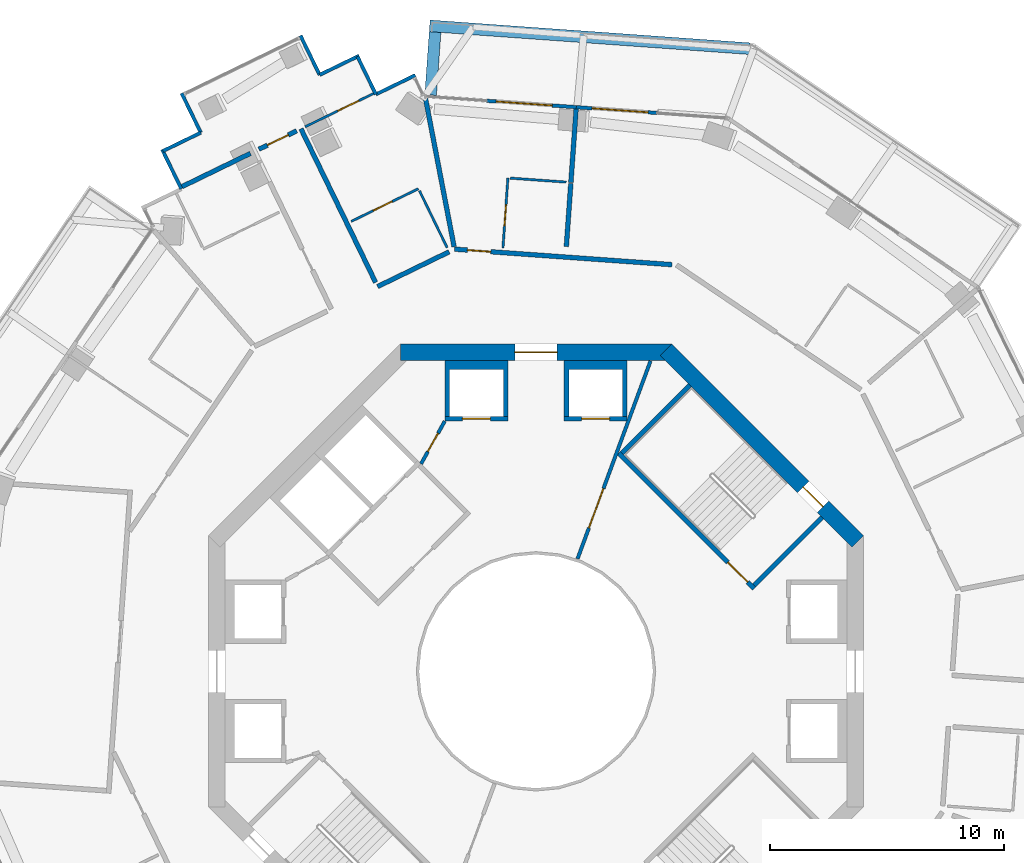
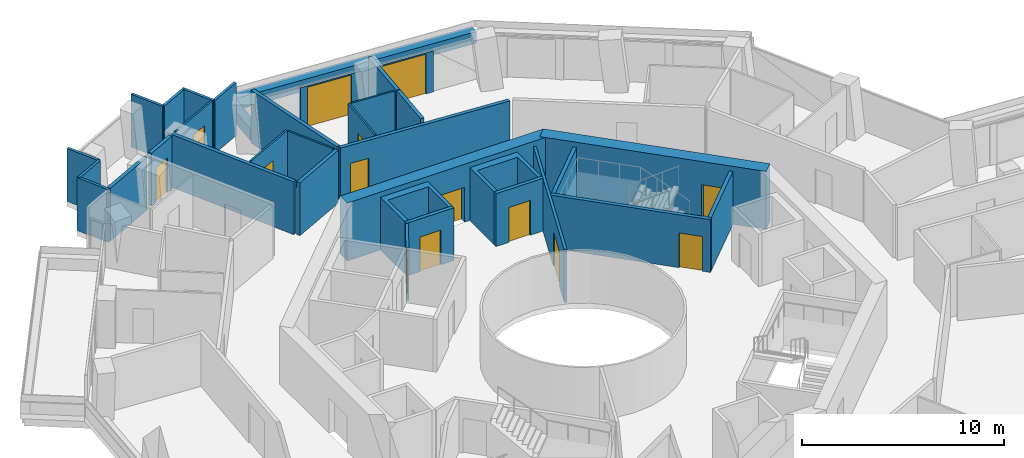
# One storey, part 18 of 22: 35 walls, 14 doors, 14 openings.
"""IFC4 building model written with IfcOpenShell, lengths in metres."""

from ifc_helpers import new_model, si_unit, direction, frame, frame_2d, origin, place, context, subcontext, project, spatial, polyline, rectangle, outline, extrude, material, layer, layer_set, type_object, element, fill, save


model = new_model("IFC4")

# Units and contexts
model_context = context("Model", 3, precision=1e-05, world=origin(), true_north=direction((0.0, 1.0)))
body_context = subcontext(model_context, "Body", "Model", "MODEL_VIEW")
ifc_project = project(units=[si_unit("LENGTHUNIT", "METRE"), si_unit("AREAUNIT", "SQUARE_METRE"), si_unit("VOLUMEUNIT", "CUBIC_METRE"), si_unit("PLANEANGLEUNIT", "RADIAN"), si_unit("MASSUNIT", "GRAM", prefix="KILO")], contexts=[model_context])

# Site, building, storey
site_placement = place(None, origin())
site = spatial("IfcSite", under=ifc_project, at=site_placement, CompositionType="ELEMENT")
building_placement = place(site_placement, origin())
building = spatial("IfcBuilding", under=site, at=building_placement, Name="Verdalira Terraces Hotel", CompositionType="ELEMENT")
storey_placement = place(building_placement, frame((0.0, 0.0, 140.0)))
storey = spatial("IfcBuildingStorey", under=building, at=storey_placement, Name="L33", CompositionType="ELEMENT", Elevation=140.0)

# Walls
ifc_material_1 = material(Name="Concrete C40", Category="concrete")
ifc_layer_1 = layer(ifc_material_1, 0.5)
ifc_layer_set_1 = layer_set([ifc_layer_1], Name="Balcony planter trough with tree")
wall_type_1 = type_object("IfcWallType", Name="Balcony planter trough with tree", PredefinedType="SOLIDWALL", material=ifc_layer_set_1)
wall_1_placement = place(storey_placement, frame((9.141113, 26.625488, 0.0), z_axis=(0.0, 0.0, 1.0), x_axis=(-0.99746619, 0.071142116, 0.0)))
element("IfcWall", 1, at=wall_1_placement, inside=storey, type_object=wall_type_1, Name="Balcony planter", PredefinedType="SOLIDWALL", context=body_context, shape_type="SweptSolid", body=[
    extrude(rectangle(XDim=13.723389, YDim=0.5, at=frame_2d((6.861816, 0.0))), origin(), (0.0, 0.0, 1.0), 0.699951),
])
wall_2_placement = place(storey_placement, frame((-4.316162, 27.334717, 0.0), z_axis=(0.0, 0.0, 1.0), x_axis=(-0.071099196, -0.99746925, 0.0)))
element("IfcWall", 2, at=wall_2_placement, inside=storey, type_object=wall_type_1, Name="Balcony planter", PredefinedType="SOLIDWALL", context=body_context, shape_type="SweptSolid", body=[
    extrude(rectangle(XDim=2.698975, YDim=0.5, at=frame_2d((1.349609, 0.0))), origin(), (0.0, 0.0, 1.0), 0.699951),
])

# Wall, opening, door
ifc_material_2 = material(Name="Moisture-resistant gypsum board partition")
ifc_layer_2 = layer(ifc_material_2, 0.10009765625)
ifc_layer_set_2 = layer_set([ifc_layer_2], Name="Bathroom partition 100 mm")
wall_type_2 = type_object("IfcWallType", Name="Bathroom partition 100 mm", PredefinedType="PARTITIONING", material=ifc_layer_set_2)
wall_3_placement = place(storey_placement, frame((-6.946777, 24.707275, 0.0), z_axis=(0.0, 0.0, 1.0), x_axis=(-0.899385893, -0.437155597, 0.0)))
wall_3 = element("IfcWall", 3, at=wall_3_placement, inside=storey, type_object=wall_type_2, Name="Bathroom partition", PredefinedType="PARTITIONING", context=body_context, shape_type="SweptSolid", body=[
    extrude(rectangle(XDim=3.251953, YDim=0.100098, at=frame_2d((1.625977, 0.0))), origin(), (0.0, 0.0, 1.0), 3.189941),
])
opening_1_placement = place(wall_3_placement, frame((0.699951, 0.0, 0.0)))
opening_1 = element("IfcOpeningElement", 4, at=opening_1_placement, cuts=wall_3, Name="Opening L33-102", PredefinedType="OPENING", context=body_context, shape_type="SweptSolid", body=[
    extrude(rectangle(XDim=1.0, YDim=2.100098, at=frame_2d((0.5, 1.050049))), frame((0.0, 0.060059, 0.0), z_axis=(0.0, -1.0, 0.0), x_axis=(1.0, 0.0, 0.0)), (0.0, 0.0, 1.0), 0.120117),
])
ifc_material_3 = material(Name="Timber door", Category="wood")
door_type_1 = type_object("IfcDoorType", Name="Suite internal door 1000 x 2100", OperationType="NOTDEFINED", PredefinedType="DOOR", material=ifc_material_3)
door_1_placement = place(opening_1_placement, origin())
door_1 = element("IfcDoor", 5, at=door_1_placement, inside=storey, type_object=door_type_1, Name="Suite internal door 3301", OperationType="SINGLE_SWING_LEFT", OverallHeight=2.10009765625, OverallWidth=1.0, PredefinedType="DOOR", context=body_context, shape_type="SweptSolid", body=[
    extrude(rectangle(XDim=1.0, YDim=2.100098, at=frame_2d((0.5, 1.050049))), frame((0.0, 0.024902, 0.0), z_axis=(0.0, -1.0, 0.0), x_axis=(1.0, 0.0, 0.0)), (0.0, 0.0, 1.0), 0.050049),
])
fill(opening_1, door_1)

wall_4_placement = place(storey_placement, frame((-5.026611, 20.637207, 0.0), z_axis=(0.0, 0.0, 1.0), x_axis=(-0.899376187, -0.437175564, 0.0)))
wall_4 = element("IfcWall", 6, at=wall_4_placement, inside=storey, type_object=wall_type_2, Name="Bathroom partition", PredefinedType="PARTITIONING", context=body_context, shape_type="SweptSolid", body=[
    extrude(rectangle(XDim=3.199951, YDim=0.100098, at=frame_2d((1.600098, 0.0))), origin(), (0.0, 0.0, 1.0), 3.189941),
])
opening_2_placement = place(wall_4_placement, frame((1.25, 0.0, 0.0)))
opening_2 = element("IfcOpeningElement", 7, at=opening_2_placement, cuts=wall_4, Name="Opening L33-103", PredefinedType="OPENING", context=body_context, shape_type="SweptSolid", body=[
    extrude(rectangle(XDim=0.899902, YDim=2.100098, at=frame_2d((0.449951, 1.050049))), frame((0.0, 0.060059, 0.0), z_axis=(0.0, -1.0, 0.0), x_axis=(1.0, 0.0, 0.0)), (0.0, 0.0, 1.0), 0.120117),
])
ifc_material_4 = material(Name="Timber door", Category="wood")
door_type_2 = type_object("IfcDoorType", Name="Bathroom door 900 x 2100", OperationType="NOTDEFINED", PredefinedType="DOOR", material=ifc_material_4)
door_2_placement = place(opening_2_placement, origin())
door_2 = element("IfcDoor", 8, at=door_2_placement, inside=storey, type_object=door_type_2, Name="Bathroom door 3301", OperationType="SINGLE_SWING_LEFT", OverallHeight=2.10009765625, OverallWidth=0.89990234375, PredefinedType="DOOR", context=body_context, shape_type="SweptSolid", body=[
    extrude(rectangle(XDim=0.899902, YDim=2.100098, at=frame_2d((0.449951, 1.050049))), frame((0.0, 0.024902, 0.0), z_axis=(0.0, -1.0, 0.0), x_axis=(1.0, 0.0, 0.0)), (0.0, 0.0, 1.0), 0.050049),
])
fill(opening_2, door_2)

# Wall
wall_5_placement = place(storey_placement, frame((-3.80249, 18.118896, 0.0), z_axis=(0.0, 0.0, 1.0), x_axis=(-0.437202865, 0.899362916, 0.0)))
element("IfcWall", 9, at=wall_5_placement, inside=storey, type_object=wall_type_2, Name="Bathroom partition", PredefinedType="PARTITIONING", context=body_context, shape_type="SweptSolid", body=[
    extrude(rectangle(XDim=2.699951, YDim=0.100098, at=frame_2d((1.350098, 0.0))), origin(), (0.0, 0.0, 1.0), 3.189941),
])

# Wall, opening, door
wall_6_placement = place(storey_placement, frame((-1.201904, 21.097412, 0.0), z_axis=(0.0, 0.0, 1.0), x_axis=(-0.0711256, -0.997467367, 0.0)))
wall_6 = element("IfcWall", 10, at=wall_6_placement, inside=storey, type_object=wall_type_2, Name="Bathroom partition", PredefinedType="PARTITIONING", context=body_context, shape_type="SweptSolid", body=[
    extrude(rectangle(XDim=3.0, YDim=0.100098, at=frame_2d((1.5, 0.0))), origin(), (0.0, 0.0, 1.0), 3.189941),
])
opening_3_placement = place(wall_6_placement, frame((1.149902, 0.0, 0.0)))
opening_3 = element("IfcOpeningElement", 11, at=opening_3_placement, cuts=wall_6, Name="Opening L33-132", PredefinedType="OPENING", context=body_context, shape_type="SweptSolid", body=[
    extrude(rectangle(XDim=0.899902, YDim=2.100098, at=frame_2d((0.449951, 1.050049))), frame((0.0, 0.060059, 0.0), z_axis=(0.0, -1.0, 0.0), x_axis=(1.0, 0.0, 0.0)), (0.0, 0.0, 1.0), 0.120117),
])
door_3_placement = place(opening_3_placement, origin())
door_3 = element("IfcDoor", 12, at=door_3_placement, inside=storey, type_object=door_type_2, Name="Bathroom door 3312", OperationType="SINGLE_SWING_LEFT", OverallHeight=2.10009765625, OverallWidth=0.89990234375, PredefinedType="DOOR", context=body_context, shape_type="SweptSolid", body=[
    extrude(rectangle(XDim=0.899902, YDim=2.100098, at=frame_2d((0.449951, 1.050049))), frame((0.0, 0.024902, 0.0), z_axis=(0.0, -1.0, 0.0), x_axis=(1.0, 0.0, 0.0)), (0.0, 0.0, 1.0), 0.050049),
])
fill(opening_3, door_3)

# Walls
wall_7_placement = place(storey_placement, frame((-1.102295, 21.090088, 0.0), z_axis=(0.0, 0.0, 1.0), x_axis=(0.997469016, -0.071102472, 0.0)))
element("IfcWall", 13, at=wall_7_placement, inside=storey, type_object=wall_type_2, Name="Bathroom partition", PredefinedType="PARTITIONING", context=body_context, shape_type="SweptSolid", body=[
    extrude(rectangle(XDim=2.400146, YDim=0.100098, at=frame_2d((1.200195, 0.0))), origin(), (0.0, 0.0, 1.0), 3.189941),
])
ifc_material_5 = material(Name="Concrete C50", Category="concrete")
ifc_layer_3 = layer(ifc_material_5, 0.199951171875)
ifc_layer_set_3 = layer_set([ifc_layer_3], Name="Core RC wall 200 C50")
wall_type_3 = type_object("IfcWallType", Name="Core RC wall 200 C50", PredefinedType="SOLIDWALL", material=ifc_layer_set_3)
wall_8_placement = place(storey_placement, origin())
element("IfcWall", 14, at=wall_8_placement, inside=storey, type_object=wall_type_3, Name="L33 shaft wall N1", PredefinedType="SOLIDWALL", context=body_context, shape_type="SweptSolid", body=[
    extrude(outline(polyline([(3.899902, 13.300049), (3.899902, 10.899902), (3.699951, 10.899902), (3.699951, 12.899902), (1.399902, 12.899902), (1.399902, 10.899902), (1.199951, 10.899902), (1.199951, 13.300049), (3.899902, 13.300049)])), origin(), (0.0, 0.0, 1.0), 3.189941),
])

# Wall, opening, door
wall_9_placement = place(storey_placement, frame((1.199951, 10.800049, 0.0), z_axis=(0.0, 0.0, 1.0), x_axis=(1.0, 0.0, 0.0)))
wall_9 = element("IfcWall", 15, at=wall_9_placement, inside=storey, type_object=wall_type_3, Name="L33 shaft front wall N1", PredefinedType="SOLIDWALL", context=body_context, shape_type="SweptSolid", body=[
    extrude(rectangle(XDim=2.699951, YDim=0.199951, at=frame_2d((1.350098, 0.0))), origin(), (0.0, 0.0, 1.0), 3.189941),
])
opening_4_placement = place(wall_9_placement, frame((0.75, 0.0, 0.0)))
opening_4 = element("IfcOpeningElement", 16, at=opening_4_placement, cuts=wall_9, Name="Opening LD-L33-803", PredefinedType="OPENING", context=body_context, shape_type="SweptSolid", body=[
    extrude(rectangle(XDim=1.199951, YDim=2.100098, at=frame_2d((0.600098, 1.050049))), frame((0.0, 0.109863, 0.0), z_axis=(0.0, -1.0, 0.0), x_axis=(1.0, 0.0, 0.0)), (0.0, 0.0, 1.0), 0.219971),
])
ifc_material_6 = material(Name="Stainless steel", Category="steel")
door_type_3 = type_object("IfcDoorType", Name="Landing door 1200 x 2100", OperationType="NOTDEFINED", PredefinedType="DOOR", material=ifc_material_6)
door_4_placement = place(opening_4_placement, origin())
door_4 = element("IfcDoor", 17, at=door_4_placement, inside=storey, type_object=door_type_3, Name="Lift landing door LR3 L33", OperationType="DOUBLE_DOOR_SLIDING", OverallHeight=2.10009765625, OverallWidth=1.199951171875, PredefinedType="DOOR", context=body_context, shape_type="SweptSolid", body=[
    extrude(rectangle(XDim=1.199951, YDim=2.100098, at=frame_2d((0.600098, 1.050049))), frame((0.0, 0.024902, 0.0), z_axis=(0.0, -1.0, 0.0), x_axis=(1.0, 0.0, 0.0)), (0.0, 0.0, 1.0), 0.050049),
])
fill(opening_4, door_4)

# Wall
wall_10_placement = place(storey_placement, origin())
element("IfcWall", 18, at=wall_10_placement, inside=storey, type_object=wall_type_3, Name="L33 shaft wall N2", PredefinedType="SOLIDWALL", context=body_context, shape_type="SweptSolid", body=[
    extrude(outline(polyline([(-3.899902, 10.899902), (-3.899902, 13.300049), (-1.199951, 13.300049), (-1.199951, 10.899902), (-1.399902, 10.899902), (-1.399902, 12.899902), (-3.699951, 12.899902), (-3.699951, 10.899902), (-3.899902, 10.899902)])), origin(), (0.0, 0.0, 1.0), 3.189941),
])

# Wall, opening, door
wall_11_placement = place(storey_placement, frame((-1.199951, 10.800049, 0.0), z_axis=(0.0, 0.0, 1.0), x_axis=(-1.0, 0.0, 0.0)))
wall_11 = element("IfcWall", 19, at=wall_11_placement, inside=storey, type_object=wall_type_3, Name="L33 shaft front wall N2", PredefinedType="SOLIDWALL", context=body_context, shape_type="SweptSolid", body=[
    extrude(rectangle(XDim=2.699951, YDim=0.199951, at=frame_2d((1.350098, 0.0))), origin(), (0.0, 0.0, 1.0), 3.189941),
])
opening_5_placement = place(wall_11_placement, frame((0.75, 0.0, 0.0)))
opening_5 = element("IfcOpeningElement", 20, at=opening_5_placement, cuts=wall_11, Name="Opening LD-L33-804", PredefinedType="OPENING", context=body_context, shape_type="SweptSolid", body=[
    extrude(rectangle(XDim=1.199951, YDim=2.100098, at=frame_2d((0.600098, 1.050049))), frame((0.0, 0.109863, 0.0), z_axis=(0.0, -1.0, 0.0), x_axis=(1.0, 0.0, 0.0)), (0.0, 0.0, 1.0), 0.219971),
])
door_5_placement = place(opening_5_placement, origin())
door_5 = element("IfcDoor", 21, at=door_5_placement, inside=storey, type_object=door_type_3, Name="Lift landing door LR4 L33", OperationType="DOUBLE_DOOR_SLIDING", OverallHeight=2.10009765625, OverallWidth=1.199951171875, PredefinedType="DOOR", context=body_context, shape_type="SweptSolid", body=[
    extrude(rectangle(XDim=1.199951, YDim=2.100098, at=frame_2d((0.600098, 1.050049))), frame((0.0, 0.024902, 0.0), z_axis=(0.0, -1.0, 0.0), x_axis=(1.0, 0.0, 0.0)), (0.0, 0.0, 1.0), 0.050049),
])
fill(opening_5, door_5)

wall_12_placement = place(storey_placement, frame((3.5354, 9.33374, 0.0), z_axis=(0.0, 0.0, 1.0), x_axis=(0.707106781, -0.707106781, 0.0)))
wall_12 = element("IfcWall", 22, at=wall_12_placement, inside=storey, type_object=wall_type_3, Name="L33 stair ST1 front wall", PredefinedType="SOLIDWALL", context=body_context, shape_type="SweptSolid", body=[
    extrude(rectangle(XDim=8.200195, YDim=0.199951, at=frame_2d((4.100098, 0.0))), origin(), (0.0, 0.0, 1.0), 3.189941),
])
opening_6_placement = place(wall_12_placement, frame((6.600098, 0.0, 0.0)))
opening_6 = element("IfcOpeningElement", 23, at=opening_6_placement, cuts=wall_12, Name="Opening L33-809", PredefinedType="OPENING", context=body_context, shape_type="SweptSolid", body=[
    extrude(rectangle(XDim=1.199951, YDim=2.100098, at=frame_2d((0.600098, 1.050049))), frame((0.0, 0.109863, 0.0), z_axis=(0.0, -1.0, 0.0), x_axis=(1.0, 0.0, 0.0)), (0.0, 0.0, 1.0), 0.219971),
])
ifc_material_7 = material(Name="Steel fire door", Category="steel")
door_type_4 = type_object("IfcDoorType", Name="Stair door 1200 x 2100", OperationType="NOTDEFINED", PredefinedType="DOOR", material=ifc_material_7)
door_6_placement = place(opening_6_placement, origin())
door_6 = element("IfcDoor", 24, at=door_6_placement, inside=storey, type_object=door_type_4, Name="Stair door ST1 L33", OperationType="SINGLE_SWING_RIGHT", OverallHeight=2.10009765625, OverallWidth=1.199951171875, PredefinedType="DOOR", context=body_context, shape_type="SweptSolid", body=[
    extrude(rectangle(XDim=1.199951, YDim=2.100098, at=frame_2d((0.600098, 1.050049))), frame((0.0, 0.024902, 0.0), z_axis=(0.0, -1.0, 0.0), x_axis=(1.0, 0.0, 0.0)), (0.0, 0.0, 1.0), 0.050049),
])
fill(opening_6, door_6)

# Walls
for number, where, z_axis, x_axis, name in (
    (25, (9.33374, 3.677002, 0.0), (0.0, 0.0, 1.0), (0.707106781, 0.707106781, 0.0), "L33 stair ST1 end wall 1"),
    (26, (3.677002, 9.33374, 0.0), (0.0, 0.0, 1.0), (0.707106781, 0.707106781, 0.0), "L33 stair ST1 end wall 2"),
):
    element("IfcWall", number, at=place(storey_placement, frame(where, z_axis=z_axis, x_axis=x_axis)), inside=storey, type_object=wall_type_3, Name=name, PredefinedType="SOLIDWALL", context=body_context, shape_type="SweptSolid", body=[
        extrude(rectangle(XDim=4.100098, YDim=0.199951, at=frame_2d((2.050049, 0.0))), origin(), (0.0, 0.0, 1.0), 3.189941),
    ])

# Wall, opening, door
ifc_material_8 = material(Name="Gypsum board partition")
ifc_layer_4 = layer(ifc_material_8, 0.14990234375)
ifc_layer_set_4 = layer_set([ifc_layer_4], Name="Core partition 150 mm")
wall_type_4 = type_object("IfcWallType", Name="Core partition 150 mm", PredefinedType="PARTITIONING", material=ifc_layer_set_4)
wall_13_placement = place(storey_placement, frame((-3.899902, 10.699951, 0.0), z_axis=(0.0, 0.0, 1.0), x_axis=(-0.485692555, -0.874129705, 0.0)))
wall_13 = element("IfcWall", 27, at=wall_13_placement, inside=storey, type_object=wall_type_4, Name="Room partition L33", PredefinedType="PARTITIONING", context=body_context, shape_type="SweptSolid", body=[
    extrude(rectangle(XDim=2.088623, YDim=0.149902, at=frame_2d((1.044434, 0.0))), origin(), (0.0, 0.0, 1.0), 3.189941),
])
opening_7_placement = place(wall_13_placement, frame((0.594238, 0.0, 0.0)))
opening_7 = element("IfcOpeningElement", 28, at=opening_7_placement, cuts=wall_13, Name="Opening L33-820", PredefinedType="OPENING", context=body_context, shape_type="SweptSolid", body=[
    extrude(rectangle(XDim=0.899902, YDim=2.100098, at=frame_2d((0.449951, 1.050049))), frame((0.0, 0.084961, 0.0), z_axis=(0.0, -1.0, 0.0), x_axis=(1.0, 0.0, 0.0)), (0.0, 0.0, 1.0), 0.169922),
])
ifc_material_9 = material(Name="Steel fire door", Category="steel")
door_type_5 = type_object("IfcDoorType", Name="Core room door 900 x 2100", OperationType="NOTDEFINED", PredefinedType="DOOR", material=ifc_material_9)
door_7_placement = place(opening_7_placement, origin())
door_7 = element("IfcDoor", 29, at=door_7_placement, inside=storey, type_object=door_type_5, Name="Door L33 room2", OperationType="SINGLE_SWING_LEFT", OverallHeight=2.10009765625, OverallWidth=0.89990234375, PredefinedType="DOOR", context=body_context, shape_type="SweptSolid", body=[
    extrude(rectangle(XDim=0.899902, YDim=2.100098, at=frame_2d((0.449951, 1.050049))), frame((0.0, 0.024902, 0.0), z_axis=(0.0, -1.0, 0.0), x_axis=(1.0, 0.0, 0.0)), (0.0, 0.0, 1.0), 0.050049),
])
fill(opening_7, door_7)

wall_14_placement = place(storey_placement, frame((1.775635, 4.812988, 0.0), z_axis=(0.0, 0.0, 1.0), x_axis=(0.346109381, 0.938194168, 0.0)))
wall_14 = element("IfcWall", 30, at=wall_14_placement, inside=storey, type_object=wall_type_4, Name="Gallery fire partition L33", PredefinedType="PARTITIONING", context=body_context, shape_type="SweptSolid", body=[
    extrude(rectangle(XDim=9.016357, YDim=0.149902, at=frame_2d((4.508301, 0.0))), origin(), (0.0, 0.0, 1.0), 3.189941),
])
opening_8_placement = place(wall_14_placement, frame((1.399902, 0.0, 0.0)))
opening_8 = element("IfcOpeningElement", 31, at=opening_8_placement, cuts=wall_14, Name="Opening L33-824", PredefinedType="OPENING", context=body_context, shape_type="SweptSolid", body=[
    extrude(rectangle(XDim=1.800049, YDim=2.100098, at=frame_2d((0.899902, 1.050049))), frame((0.0, 0.084961, 0.0), z_axis=(0.0, -1.0, 0.0), x_axis=(1.0, 0.0, 0.0)), (0.0, 0.0, 1.0), 0.169922),
])
ifc_material_10 = material(Name="Steel fire door", Category="steel")
door_type_6 = type_object("IfcDoorType", Name="Gallery fire door pair 1800 x 2100", OperationType="NOTDEFINED", PredefinedType="DOOR", material=ifc_material_10)
door_8_placement = place(opening_8_placement, origin())
door_8 = element("IfcDoor", 32, at=door_8_placement, inside=storey, type_object=door_type_6, Name="Door L33 split1", OperationType="DOUBLE_DOOR_SINGLE_SWING", OverallHeight=2.10009765625, OverallWidth=1.800048828125, PredefinedType="DOOR", context=body_context, shape_type="SweptSolid", body=[
    extrude(rectangle(XDim=1.800049, YDim=2.100098, at=frame_2d((0.899902, 1.050049))), frame((0.0, 0.024902, 0.0), z_axis=(0.0, -1.0, 0.0), x_axis=(1.0, 0.0, 0.0)), (0.0, 0.0, 1.0), 0.050049),
])
fill(opening_8, door_8)

ifc_material_11 = material(Name="Concrete C60", Category="concrete")
ifc_layer_5 = layer(ifc_material_11, 0.699951171875)
ifc_layer_set_5 = layer_set([ifc_layer_5], Name="Core wall 700 C60")
wall_type_5 = type_object("IfcWallType", Name="Core wall 700 C60", PredefinedType="SHEAR", material=ifc_layer_set_5)
wall_15_placement = place(storey_placement, frame((13.752441, 5.551514, 0.0), z_axis=(0.0, 0.0, 1.0), x_axis=(-0.707106781, 0.707106781, 0.0)))
wall_15 = element("IfcWall", 33, at=wall_15_placement, inside=storey, type_object=wall_type_5, Name="Core wall CW-L33-2", PredefinedType="SHEAR", context=body_context, shape_type="SweptSolid", body=[
    extrude(rectangle(XDim=11.5979, YDim=0.699951, at=frame_2d((5.798828, 0.0))), origin(), (0.0, 0.0, 1.0), 3.5),
])
opening_9_placement = place(wall_15_placement, frame((2.099121, 0.0, 0.0)))
opening_9 = element("IfcOpeningElement", 34, at=opening_9_placement, cuts=wall_15, Name="Opening L33-816", PredefinedType="OPENING", context=body_context, shape_type="SweptSolid", body=[
    extrude(rectangle(XDim=1.199951, YDim=2.100098, at=frame_2d((0.600098, 1.050049))), frame((0.0, 0.359863, 0.0), z_axis=(0.0, -1.0, 0.0), x_axis=(1.0, 0.0, 0.0)), (0.0, 0.0, 1.0), 0.719971),
])
door_9_placement = place(opening_9_placement, origin())
door_9 = element("IfcDoor", 35, at=door_9_placement, inside=storey, type_object=door_type_4, Name="Stair exit door ST1 L33", OperationType="SINGLE_SWING_LEFT", OverallHeight=2.10009765625, OverallWidth=1.199951171875, PredefinedType="DOOR", context=body_context, shape_type="SweptSolid", body=[
    extrude(rectangle(XDim=1.199951, YDim=2.100098, at=frame_2d((0.600098, 1.050049))), frame((0.0, 0.024902, 0.0), z_axis=(0.0, -1.0, 0.0), x_axis=(1.0, 0.0, 0.0)), (0.0, 0.0, 1.0), 0.050049),
])
fill(opening_9, door_9)

wall_16_placement = place(storey_placement, frame((5.799072, 13.649902, 0.0), z_axis=(0.0, 0.0, 1.0), x_axis=(-1.0, 0.0, 0.0)))
wall_16 = element("IfcWall", 36, at=wall_16_placement, inside=storey, type_object=wall_type_5, Name="Core wall CW-L33-3", PredefinedType="SHEAR", context=body_context, shape_type="SweptSolid", body=[
    extrude(rectangle(XDim=11.598145, YDim=0.699951, at=frame_2d((5.799072, 0.0))), origin(), (0.0, 0.0, 1.0), 3.5),
])
opening_10_placement = place(wall_16_placement, frame((4.898926, 0.0, 0.0)))
opening_10 = element("IfcOpeningElement", 37, at=opening_10_placement, cuts=wall_16, Name="Opening L33-813", PredefinedType="OPENING", context=body_context, shape_type="SweptSolid", body=[
    extrude(rectangle(XDim=1.800049, YDim=2.100098, at=frame_2d((0.899902, 1.050049))), frame((0.0, 0.359863, 0.0), z_axis=(0.0, -1.0, 0.0), x_axis=(1.0, 0.0, 0.0)), (0.0, 0.0, 1.0), 0.719971),
])
ifc_material_12 = material(Name="Steel fire door", Category="steel")
door_type_7 = type_object("IfcDoorType", Name="Core entry door pair 1800 x 2100", OperationType="NOTDEFINED", PredefinedType="DOOR", material=ifc_material_12)
door_10_placement = place(opening_10_placement, origin())
door_10 = element("IfcDoor", 38, at=door_10_placement, inside=storey, type_object=door_type_7, Name="Core entry door L33 2", OperationType="DOUBLE_DOOR_SINGLE_SWING", OverallHeight=2.10009765625, OverallWidth=1.800048828125, PredefinedType="DOOR", context=body_context, shape_type="SweptSolid", body=[
    extrude(rectangle(XDim=1.800049, YDim=2.100098, at=frame_2d((0.899902, 1.050049))), frame((0.0, 0.024902, 0.0), z_axis=(0.0, -1.0, 0.0), x_axis=(1.0, 0.0, 0.0)), (0.0, 0.0, 1.0), 0.050049),
])
fill(opening_10, door_10)

# Walls
ifc_material_13 = material(Name="Fire-rated gypsum board wall")
ifc_layer_6 = layer(ifc_material_13, 0.199951171875)
ifc_layer_set_6 = layer_set([ifc_layer_6], Name="Demising wall 200 mm")
wall_type_6 = type_object("IfcWallType", Name="Demising wall 200 mm", PredefinedType="SOLIDWALL", material=ifc_layer_set_6)
wall_17_placement = place(storey_placement, frame((-12.208252, 22.150146, 0.0), z_axis=(0.0, 0.0, 1.0), x_axis=(-0.899385893, -0.437155597, 0.0)))
element("IfcWall", 39, at=wall_17_placement, inside=storey, type_object=wall_type_6, Name="Demising wall", PredefinedType="SOLIDWALL", context=body_context, shape_type="SweptSolid", body=[
    extrude(rectangle(XDim=3.251953, YDim=0.199951, at=frame_2d((1.625977, 0.0))), origin(), (0.0, 0.0, 1.0), 3.189941),
])
wall_18_placement = place(storey_placement, frame((-4.729004, 24.511963, 0.0), z_axis=(0.0, 0.0, 1.0), x_axis=(0.189412293, -0.981897644, 0.0)))
element("IfcWall", 40, at=wall_18_placement, inside=storey, type_object=wall_type_6, Name="Demising wall", PredefinedType="SOLIDWALL", context=body_context, shape_type="SweptSolid", body=[
    extrude(rectangle(XDim=6.475586, YDim=0.199951, at=frame_2d((3.237793, 0.0))), origin(), (0.0, 0.0, 1.0), 3.189941),
])
wall_19_placement = place(storey_placement, frame((1.29541, 18.159424, 0.0), z_axis=(0.0, 0.0, 1.0), x_axis=(0.071125175, 0.997467398, 0.0)))
element("IfcWall", 41, at=wall_19_placement, inside=storey, type_object=wall_type_6, Name="Demising wall", PredefinedType="SOLIDWALL", context=body_context, shape_type="SweptSolid", body=[
    extrude(rectangle(XDim=2.704834, YDim=0.199951, at=frame_2d((1.352539, 0.0))), origin(), (0.0, 0.0, 1.0), 3.189941),
])
wall_20_placement = place(storey_placement, frame((1.490967, 20.90332, 0.0), z_axis=(0.0, 0.0, 1.0), x_axis=(0.071186497, 0.997463023, 0.0)))
element("IfcWall", 42, at=wall_20_placement, inside=storey, type_object=wall_type_6, Name="Demising wall", PredefinedType="SOLIDWALL", context=body_context, shape_type="SweptSolid", body=[
    extrude(rectangle(XDim=3.151855, YDim=0.199951, at=frame_2d((1.575928, 0.0))), origin(), (0.0, 0.0, 1.0), 3.189941),
])

# Wall, opening, door
ifc_material_14 = material(Name="Fire-rated gypsum board wall")
ifc_layer_7 = layer(ifc_material_14, 0.199951171875)
ifc_layer_set_7 = layer_set([ifc_layer_7], Name="Guest corridor wall 200 mm")
wall_type_7 = type_object("IfcWallType", Name="Guest corridor wall 200 mm", PredefinedType="SOLIDWALL", material=ifc_layer_set_7)
wall_21_placement = place(storey_placement, frame((-11.852051, 22.323242, 0.0), z_axis=(0.0, 0.0, 1.0), x_axis=(0.899436649, 0.437051157, 0.0)))
wall_21 = element("IfcWall", 43, at=wall_21_placement, inside=storey, type_object=wall_type_7, Name="Guest corridor wall", PredefinedType="SOLIDWALL", context=body_context, shape_type="SweptSolid", body=[
    extrude(rectangle(XDim=1.802002, YDim=0.199951, at=frame_2d((0.900879, 0.0))), origin(), (0.0, 0.0, 1.0), 3.189941),
])
opening_11_placement = place(wall_21_placement, frame((0.399902, 0.0, 0.0)))
opening_11 = element("IfcOpeningElement", 44, at=opening_11_placement, cuts=wall_21, Name="Opening L33-101", PredefinedType="OPENING", context=body_context, shape_type="SweptSolid", body=[
    extrude(rectangle(XDim=1.0, YDim=2.100098, at=frame_2d((0.5, 1.050049))), frame((0.0, 0.109863, 0.0), z_axis=(0.0, -1.0, 0.0), x_axis=(1.0, 0.0, 0.0)), (0.0, 0.0, 1.0), 0.219971),
])
ifc_material_15 = material(Name="Timber fire door", Category="wood")
door_type_8 = type_object("IfcDoorType", Name="Guest entry door 1000 x 2100", OperationType="NOTDEFINED", PredefinedType="DOOR", material=ifc_material_15)
door_11_placement = place(opening_11_placement, origin())
door_11 = element("IfcDoor", 45, at=door_11_placement, inside=storey, type_object=door_type_8, Name="Guest entry door 3301", OperationType="SINGLE_SWING_LEFT", OverallHeight=2.10009765625, OverallWidth=1.0, PredefinedType="DOOR", context=body_context, shape_type="SweptSolid", body=[
    extrude(rectangle(XDim=1.0, YDim=2.100098, at=frame_2d((0.5, 1.050049))), frame((0.0, 0.024902, 0.0), z_axis=(0.0, -1.0, 0.0), x_axis=(1.0, 0.0, 0.0)), (0.0, 0.0, 1.0), 0.050049),
])
fill(opening_11, door_11)

# Walls
wall_22_placement = place(storey_placement, frame((-6.860596, 16.632568, 0.0), z_axis=(0.0, 0.0, 1.0), x_axis=(-0.437111926, 0.899407118, 0.0)))
element("IfcWall", 46, at=wall_22_placement, inside=storey, type_object=wall_type_7, Name="Guest corridor wall", PredefinedType="SOLIDWALL", context=body_context, shape_type="SweptSolid", body=[
    extrude(rectangle(XDim=7.300049, YDim=0.199951, at=frame_2d((3.649902, 0.0))), origin(), (0.0, 0.0, 1.0), 3.189941),
])
wall_23_placement = place(storey_placement, frame((-3.715088, 17.938965, 0.0), z_axis=(0.0, 0.0, 1.0), x_axis=(-0.899425097, -0.43707493, 0.0)))
element("IfcWall", 47, at=wall_23_placement, inside=storey, type_object=wall_type_7, Name="Guest corridor wall", PredefinedType="SOLIDWALL", context=body_context, shape_type="SweptSolid", body=[
    extrude(rectangle(XDim=3.400146, YDim=0.199951, at=frame_2d((1.700195, 0.0))), origin(), (0.0, 0.0, 1.0), 3.189941),
])

# Wall, opening, door
wall_24_placement = place(storey_placement, frame((-3.48291, 18.052002, 0.0), z_axis=(0.0, 0.0, 1.0), x_axis=(0.997463885, -0.071174419, 0.0)))
wall_24 = element("IfcWall", 48, at=wall_24_placement, inside=storey, type_object=wall_type_7, Name="Guest corridor wall", PredefinedType="SOLIDWALL", context=body_context, shape_type="SweptSolid", body=[
    extrude(rectangle(XDim=9.316406, YDim=0.199951, at=frame_2d((4.658203, 0.0))), origin(), (0.0, 0.0, 1.0), 3.189941),
])
opening_12_placement = place(wall_24_placement, frame((0.550049, 0.0, 0.0)))
opening_12 = element("IfcOpeningElement", 49, at=opening_12_placement, cuts=wall_24, Name="Opening L33-131", PredefinedType="OPENING", context=body_context, shape_type="SweptSolid", body=[
    extrude(rectangle(XDim=1.0, YDim=2.100098, at=frame_2d((0.5, 1.050049))), frame((0.0, 0.109863, 0.0), z_axis=(0.0, -1.0, 0.0), x_axis=(1.0, 0.0, 0.0)), (0.0, 0.0, 1.0), 0.219971),
])
door_12_placement = place(opening_12_placement, origin())
door_12 = element("IfcDoor", 50, at=door_12_placement, inside=storey, type_object=door_type_8, Name="Guest entry door 3312", OperationType="SINGLE_SWING_LEFT", OverallHeight=2.10009765625, OverallWidth=1.0, PredefinedType="DOOR", context=body_context, shape_type="SweptSolid", body=[
    extrude(rectangle(XDim=1.0, YDim=2.100098, at=frame_2d((0.5, 1.050049))), frame((0.0, 0.024902, 0.0), z_axis=(0.0, -1.0, 0.0), x_axis=(1.0, 0.0, 0.0)), (0.0, 0.0, 1.0), 0.050049),
])
fill(opening_12, door_12)

# Walls
ifc_material_16 = material(Name="Terracotta cladding", Category="masonry")
ifc_layer_8 = layer(ifc_material_16, 0.14990234375)
ifc_layer_set_8 = layer_set([ifc_layer_8], Name="Terracotta clad wall 150")
wall_type_8 = type_object("IfcWallType", Name="Terracotta clad wall 150", PredefinedType="SOLIDWALL", material=ifc_layer_set_8)
wall_25_placement = place(storey_placement, frame((-5.161865, 25.491211, 0.0), z_axis=(0.0, 0.0, 1.0), x_axis=(-0.899421886, -0.437081539, 0.0)))
element("IfcWall", 51, at=wall_25_placement, inside=storey, type_object=wall_type_8, Name="Terracotta cladding wall", PredefinedType="SOLIDWALL", context=body_context, shape_type="SweptSolid", body=[
    extrude(rectangle(XDim=1.875, YDim=0.149902, at=frame_2d((0.9375, 0.0))), origin(), (0.0, 0.0, 1.0), 3.189941),
])
wall_26_placement = place(storey_placement, frame((-6.848389, 24.671631, 0.0), z_axis=(0.0, 0.0, 1.0), x_axis=(-0.437038794, 0.899442657, 0.0)))
element("IfcWall", 52, at=wall_26_placement, inside=storey, type_object=wall_type_8, Name="Terracotta cladding wall", PredefinedType="SOLIDWALL", context=body_context, shape_type="SweptSolid", body=[
    extrude(rectangle(XDim=1.799805, YDim=0.149902, at=frame_2d((0.899902, 0.0))), origin(), (0.0, 0.0, 1.0), 3.189941),
])
for number, where, z_axis, x_axis, name in (
    (53, (-7.567627, 26.323486, 0.0), (0.0, 0.0, 1.0), (-0.899397008, -0.437132728, 0.0), "Terracotta cladding wall"),
    (54, (-9.253906, 25.503906, 0.0), (0.0, 0.0, 1.0), (-0.437238053, 0.89934581, 0.0), "Terracotta cladding wall"),
    (55, (-15.155273, 24.720459, 0.0), (0.0, 0.0, 1.0), (0.437132728, -0.899397008, 0.0), "Terracotta cladding wall"),
):
    element("IfcWall", number, at=place(storey_placement, frame(where, z_axis=z_axis, x_axis=x_axis)), inside=storey, type_object=wall_type_8, Name=name, PredefinedType="SOLIDWALL", context=body_context, shape_type="SweptSolid", body=[
        extrude(rectangle(XDim=1.875, YDim=0.149902, at=frame_2d((0.9375, 0.0))), origin(), (0.0, 0.0, 1.0), 3.189941),
    ])
wall_27_placement = place(storey_placement, frame((-14.335693, 23.03418, 0.0), z_axis=(0.0, 0.0, 1.0), x_axis=(-0.899389334, -0.437148518, 0.0)))
element("IfcWall", 56, at=wall_27_placement, inside=storey, type_object=wall_type_8, Name="Terracotta cladding wall", PredefinedType="SOLIDWALL", context=body_context, shape_type="SweptSolid", body=[
    extrude(rectangle(XDim=1.800049, YDim=0.149902, at=frame_2d((0.899902, 0.0))), origin(), (0.0, 0.0, 1.0), 3.189941),
])
wall_28_placement = place(storey_placement, frame((-15.987305, 22.314697, 0.0), z_axis=(0.0, 0.0, 1.0), x_axis=(0.437132728, -0.899397008, 0.0)))
element("IfcWall", 57, at=wall_28_placement, inside=storey, type_object=wall_type_8, Name="Terracotta cladding wall", PredefinedType="SOLIDWALL", context=body_context, shape_type="SweptSolid", body=[
    extrude(rectangle(XDim=1.875, YDim=0.149902, at=frame_2d((0.9375, 0.0))), origin(), (0.0, 0.0, 1.0), 3.189941),
])

# Wall, opening, door
ifc_material_17 = material(Name="Terracotta cladding", Category="masonry")
ifc_layer_9 = layer(ifc_material_17, 0.14990234375)
ifc_layer_set_9 = layer_set([ifc_layer_9], Name="Terracotta door pier 150")
wall_type_9 = type_object("IfcWallType", Name="Terracotta door pier 150", PredefinedType="SOLIDWALL", material=ifc_layer_set_9)
wall_29_placement = place(storey_placement, frame((5.186768, 23.874756, 0.0), z_axis=(0.0, 0.0, 1.0), x_axis=(-0.997464047, 0.071172155, 0.0)))
wall_29 = element("IfcWall", 58, at=wall_29_placement, inside=storey, type_object=wall_type_9, Name="Terracotta door pier", PredefinedType="SOLIDWALL", context=body_context, shape_type="SweptSolid", body=[
    extrude(rectangle(XDim=3.474854, YDim=0.149902, at=frame_2d((1.737305, 0.0))), origin(), (0.0, 0.0, 1.0), 2.475098),
])
opening_13_placement = place(wall_29_placement, frame((0.399902, 0.0, 0.0)))
opening_13 = element("IfcOpeningElement", 59, at=opening_13_placement, cuts=wall_29, Name="Opening L33-B13", PredefinedType="OPENING", context=body_context, shape_type="SweptSolid", body=[
    extrude(rectangle(XDim=2.399902, YDim=2.399902, at=frame_2d((1.199951, 1.199951))), frame((0.0, 0.084961, 0.0), z_axis=(0.0, -1.0, 0.0), x_axis=(1.0, 0.0, 0.0)), (0.0, 0.0, 1.0), 0.169922),
])
ifc_material_18 = material(Name="Clear glass", Category="glass")
door_type_9 = type_object("IfcDoorType", Name="Balcony sliding door 2400x2400", OperationType="NOTDEFINED", PredefinedType="DOOR", material=ifc_material_18)
door_13_placement = place(opening_13_placement, origin())
door_13 = element("IfcDoor", 60, at=door_13_placement, inside=storey, type_object=door_type_9, Name="Balcony sliding door", OperationType="SLIDING_TO_RIGHT", OverallHeight=2.39990234375, OverallWidth=2.39990234375, PredefinedType="DOOR", context=body_context, shape_type="SweptSolid", body=[
    extrude(rectangle(XDim=2.399902, YDim=2.399902, at=frame_2d((1.199951, 1.199951))), frame((0.0, 0.024902, 0.0), z_axis=(0.0, -1.0, 0.0), x_axis=(1.0, 0.0, 0.0)), (0.0, 0.0, 1.0), 0.050049),
])
fill(opening_13, door_13)

wall_30_placement = place(storey_placement, frame((1.720703, 24.12207, 0.0), z_axis=(0.0, 0.0, 1.0), x_axis=(-0.997464835, 0.071161106, 0.0)))
wall_30 = element("IfcWall", 61, at=wall_30_placement, inside=storey, type_object=wall_type_9, Name="Terracotta door pier", PredefinedType="SOLIDWALL", context=body_context, shape_type="SweptSolid", body=[
    extrude(rectangle(XDim=3.835693, YDim=0.149902, at=frame_2d((1.917969, 0.0))), origin(), (0.0, 0.0, 1.0), 2.475098),
])
opening_14_placement = place(wall_30_placement, frame((1.0354, 0.0, 0.0)))
opening_14 = element("IfcOpeningElement", 62, at=opening_14_placement, cuts=wall_30, Name="Opening L33-B14", PredefinedType="OPENING", context=body_context, shape_type="SweptSolid", body=[
    extrude(rectangle(XDim=2.399902, YDim=2.399902, at=frame_2d((1.199951, 1.199951))), frame((0.0, 0.084961, 0.0), z_axis=(0.0, -1.0, 0.0), x_axis=(1.0, 0.0, 0.0)), (0.0, 0.0, 1.0), 0.169922),
])
door_14_placement = place(opening_14_placement, origin())
door_14 = element("IfcDoor", 63, at=door_14_placement, inside=storey, type_object=door_type_9, Name="Balcony sliding door", OperationType="SLIDING_TO_LEFT", OverallHeight=2.39990234375, OverallWidth=2.39990234375, PredefinedType="DOOR", context=body_context, shape_type="SweptSolid", body=[
    extrude(rectangle(XDim=2.399902, YDim=2.399902, at=frame_2d((1.199951, 1.199951))), frame((0.0, 0.024902, 0.0), z_axis=(0.0, -1.0, 0.0), x_axis=(1.0, 0.0, 0.0)), (0.0, 0.0, 1.0), 0.050049),
])
fill(opening_14, door_14)

save(model, "model.ifc")
